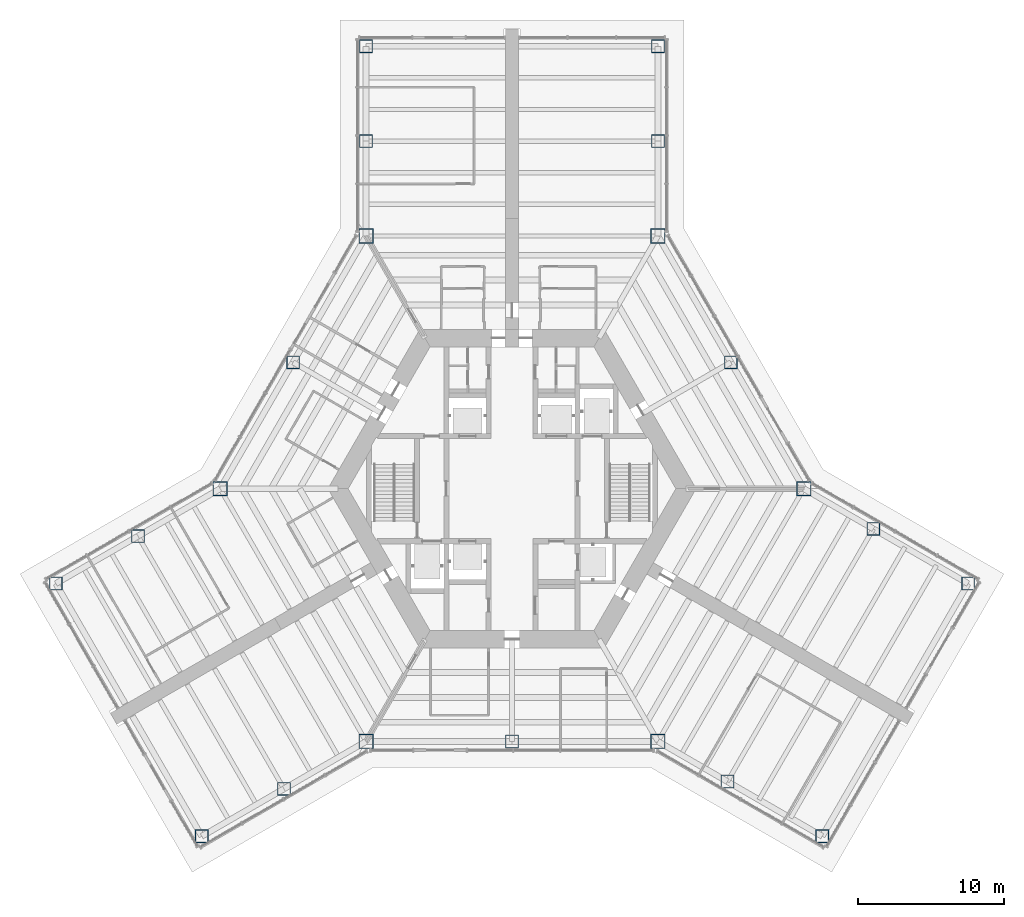
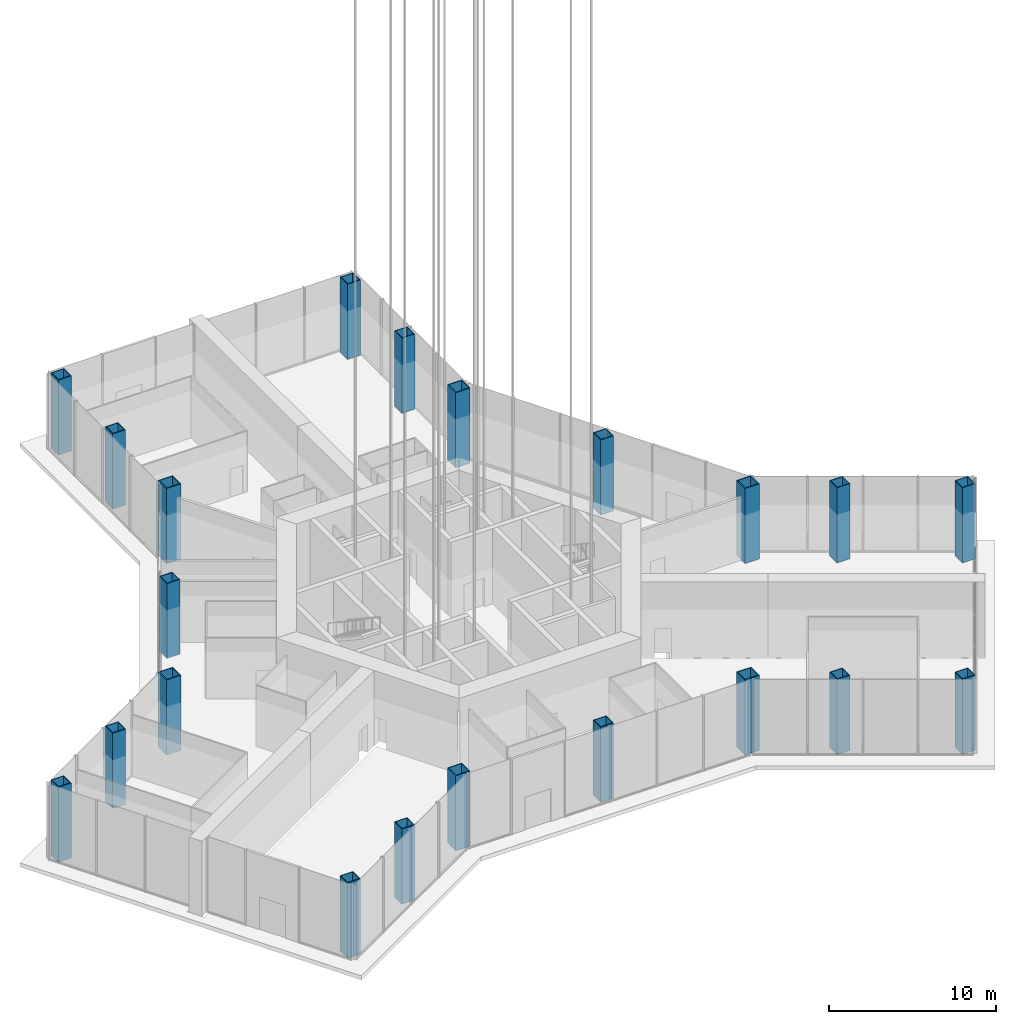
# One storey, part 1 of 18: 21 columns.
"""IFC4 building model written with IfcOpenShell, lengths in metres."""

from ifc_helpers import new_model, si_unit, direction, frame, origin, origin_2d, place, context, subcontext, project, spatial, hollow_rectangle, extrude, material, material_profile, profile_set, type_object, element, save


model = new_model("IFC4")

# Units and contexts
model_context = context("Model", 3, precision=1e-05, world=origin(), true_north=direction((0.0, 1.0)))
body_context = subcontext(model_context, "Body", "Model", "MODEL_VIEW")
ifc_project = project(units=[si_unit("LENGTHUNIT", "METRE"), si_unit("AREAUNIT", "SQUARE_METRE"), si_unit("VOLUMEUNIT", "CUBIC_METRE"), si_unit("PLANEANGLEUNIT", "RADIAN"), si_unit("MASSUNIT", "GRAM", prefix="KILO")], contexts=[model_context])

# Site, building, storey
site_placement = place(None, origin())
site = spatial("IfcSite", under=ifc_project, at=site_placement, CompositionType="ELEMENT")
building_placement = place(site_placement, origin())
building = spatial("IfcBuilding", under=site, at=building_placement, Name="Kasaneha Research Tower", CompositionType="ELEMENT")
storey_placement = place(building_placement, origin())
storey = spatial("IfcBuildingStorey", under=building, at=storey_placement, Name="L01", CompositionType="ELEMENT", Elevation=0.0)

# Columns
ifc_material_1 = material(Name="Steel SN490C", Category="steel")
ifc_material_profile_1 = material_profile(ifc_material_1, hollow_rectangle(XDim=1.0, YDim=1.0, WallThickness=0.06005859375, at=origin_2d()), Name="BOX-1000x1000x60")
ifc_profile_set_1 = profile_set([ifc_material_profile_1], Name="Steel SN490C")
column_type_1 = type_object("IfcColumnType", Name="C1A column BOX-1000x1000x60", PredefinedType="COLUMN", material=ifc_profile_set_1)
for number, where, z_axis, x_axis, name in (
    (1, (20.0, 0.0, 0.0), (0.0, 0.0, 1.0), (1.0, 0.0, 0.0), "Column V0 L01"),
    (2, (10.0, 17.320556640625, 0.0), (0.0, 0.0, 1.0), (1.0, 0.0, 0.0), "Column V1 L01"),
    (3, (-10.0, 17.320556640625, 0.0), (0.0, 0.0, 1.0), (1.0, 0.0, 0.0), "Column V2 L01"),
    (4, (-20.0, 0.0, 0.0), (0.0, 0.0, 1.0), (1.0, 0.0, 0.0), "Column V3 L01"),
    (5, (-10.0, -17.320556640625, 0.0), (0.0, 0.0, 1.0), (1.0, 0.0, 0.0), "Column V4 L01"),
    (6, (10.0, -17.320556640625, 0.0), (0.0, 0.0, 1.0), (1.0, 0.0, 0.0), "Column V5 L01"),
):
    element("IfcColumn", number, at=place(storey_placement, frame(where, z_axis=z_axis, x_axis=x_axis)), inside=storey, type_object=column_type_1, Name=name, PredefinedType="COLUMN", context=body_context, shape_type="SweptSolid", body=[
        extrude(hollow_rectangle(XDim=1.0, YDim=1.0, WallThickness=0.06005859375, at=origin_2d()), origin(), (0.0, 0.0, 1.0), 5.5),
    ])
ifc_material_2 = material(Name="Steel SN490C", Category="steel")
ifc_material_profile_2 = material_profile(ifc_material_2, hollow_rectangle(XDim=0.89990234375, YDim=0.89990234375, WallThickness=0.050048828125, at=origin_2d()), Name="BOX-900x900x50")
ifc_profile_set_2 = profile_set([ifc_material_profile_2], Name="Steel SN490C")
column_type_2 = type_object("IfcColumnType", Name="C1B column BOX-900x900x50", PredefinedType="COLUMN", material=ifc_profile_set_2)
for number, where, z_axis, x_axis, name in (
    (7, (15.0, 8.66015625, 0.0), (0.0, 0.0, 1.0), (1.0, 0.0, 0.0), "Column M030 L01"),
    (8, (-15.0, 8.66015625, 0.0), (0.0, 0.0, 1.0), (1.0, 0.0, 0.0), "Column M150 L01"),
    (9, (0.0, -17.320556640625, 0.0), (0.0, 0.0, 1.0), (1.0, 0.0, 0.0), "Column M270 L01"),
    (10, (10.0, 23.820556640625, 0.0), (0.0, 0.0, 1.0), (1.0, 0.0, 0.0), "Column ASP L01"),
    (11, (10.0, 30.320556640625, 0.0), (0.0, 0.0, 1.0), (1.0, 0.0, 0.0), "Column ATP L01"),
    (12, (-10.0, 23.820556640625, 0.0), (0.0, 0.0, 1.0), (1.0, 0.0, 0.0), "Column ASN L01"),
    (13, (-10.0, 30.320556640625, 0.0), (0.0, 0.0, 1.0), (1.0, 0.0, 0.0), "Column ATN L01"),
    (14, (-25.629150390625, -3.25, 0.0), (0.0, 0.0, 1.0), (1.0, 0.0, 0.0), "Column BSP L01"),
    (15, (-31.25830078125, -6.5, 0.0), (0.0, 0.0, 1.0), (1.0, 0.0, 0.0), "Column BTP L01"),
    (16, (-15.629150390625, -20.570556640625, 0.0), (0.0, 0.0, 1.0), (1.0, 0.0, 0.0), "Column BSN L01"),
    (17, (-21.25830078125, -23.820556640625, 0.0), (0.0, 0.0, 1.0), (1.0, 0.0, 0.0), "Column BTN L01"),
    (18, (14.76318359375, -20.070556640625, 0.0), (0.0, 0.0, 1.0), (1.0, 0.0, 0.0), "Column CSP L01"),
    (19, (21.25830078125, -23.820556640625, 0.0), (0.0, 0.0, 1.0), (1.0, 0.0, 0.0), "Column CTP L01"),
    (20, (24.76318359375, -2.75, 0.0), (0.0, 0.0, 1.0), (1.0, 0.0, 0.0), "Column CSN L01"),
    (21, (31.25830078125, -6.5, 0.0), (0.0, 0.0, 1.0), (1.0, 0.0, 0.0), "Column CTN L01"),
):
    element("IfcColumn", number, at=place(storey_placement, frame(where, z_axis=z_axis, x_axis=x_axis)), inside=storey, type_object=column_type_2, Name=name, PredefinedType="COLUMN", context=body_context, shape_type="SweptSolid", body=[
        extrude(hollow_rectangle(XDim=0.89990234375, YDim=0.89990234375, WallThickness=0.050048828125, at=origin_2d()), origin(), (0.0, 0.0, 1.0), 5.5),
    ])

save(model, "model.ifc")
